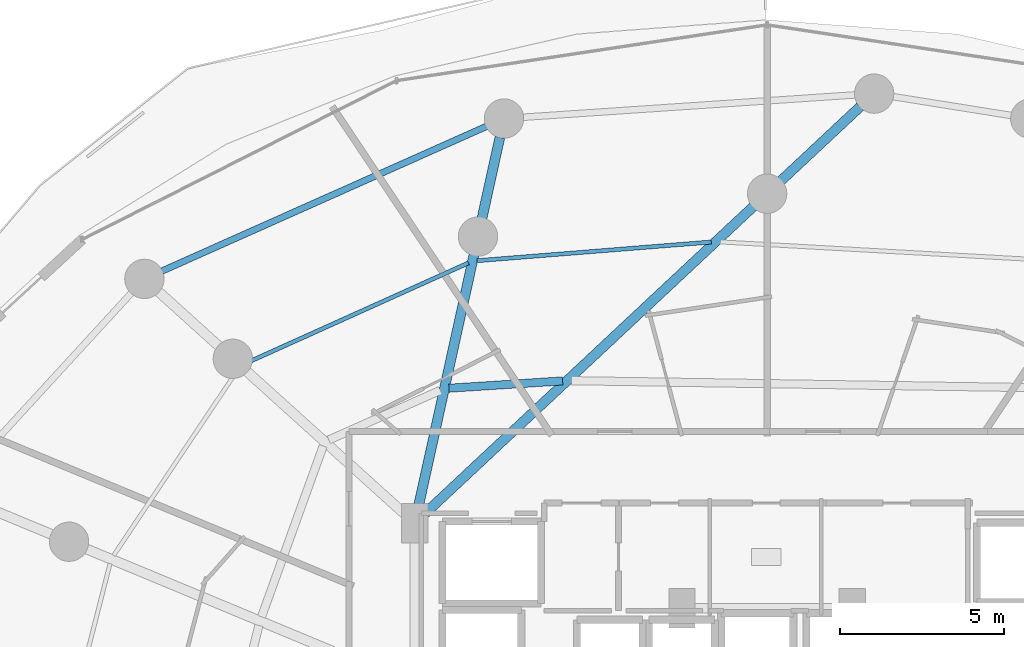
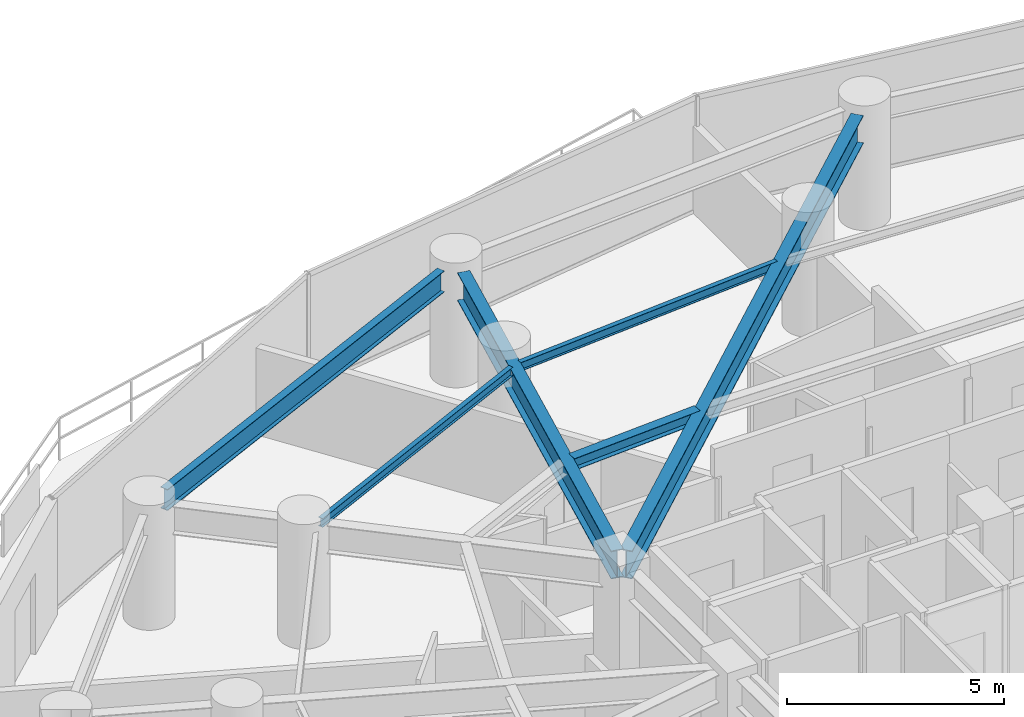
# One storey, part 21 of 35: 6 beams.
"""IFC4 building model written with IfcOpenShell, lengths in metres."""

from ifc_helpers import new_model, si_unit, direction, frame, origin, origin_2d, place, context, subcontext, project, spatial, i_section, extrude, material, material_profile, profile_set, type_object, element, save


model = new_model("IFC4")

# Units and contexts
model_context = context("Model", 3, precision=1e-05, world=origin(), true_north=direction((0.0, 1.0)))
body_context = subcontext(model_context, "Body", "Model", "MODEL_VIEW")
ifc_project = project(units=[si_unit("LENGTHUNIT", "METRE"), si_unit("AREAUNIT", "SQUARE_METRE"), si_unit("VOLUMEUNIT", "CUBIC_METRE"), si_unit("PLANEANGLEUNIT", "RADIAN"), si_unit("MASSUNIT", "GRAM", prefix="KILO")], contexts=[model_context])

# Site, building, storey
site_placement = place(None, origin())
site = spatial("IfcSite", under=ifc_project, at=site_placement, CompositionType="ELEMENT")
building_placement = place(site_placement, origin())
building = spatial("IfcBuilding", under=site, at=building_placement, Name="Vorneva Point Tower", CompositionType="ELEMENT")
storey_placement = place(building_placement, frame((0.0, 0.0, 48.5)))
storey = spatial("IfcBuildingStorey", under=building, at=storey_placement, Name="L12", CompositionType="ELEMENT", Elevation=48.5)

# Beams
ifc_material = material(Name="Steel S355", Category="steel")
ifc_material_profile_1 = material_profile(ifc_material, i_section(OverallWidth=0.300048828125, OverallDepth=0.7880859375, WebThickness=0.014404296875, FlangeThickness=0.02197265625, at=origin_2d()), Name="80Sh1")
ifc_profile_set_1 = profile_set([ifc_material_profile_1], Name="Steel S355")
beam_type_1 = type_object("IfcBeamType", Name="BM-GRD-80Sh1", PredefinedType="USERDEFINED", material=ifc_profile_set_1)
beam_1_placement = place(storey_placement, frame((40.835693359375, 45.850830078125, 2.845947265625), z_axis=(-0.730494745314, -0.682918316542, 0.0), x_axis=(0.682918316542, -0.730494745314, 0.0)))
element("IfcBeam", 1, at=beam_1_placement, inside=storey, type_object=beam_type_1, Name="L12 Radial Primary Girder 05", ObjectType="GIRDER", PredefinedType="USERDEFINED", context=body_context, shape_type="SweptSolid", body=[
    extrude(i_section(OverallWidth=0.300048828125, OverallDepth=0.7880859375, WebThickness=0.014404296875, FlangeThickness=0.02197265625, at=origin_2d()), origin(), (0.0, 0.0, 1.0), 18.258056640625),
])
beam_2_placement = place(storey_placement, frame((29.84716796875, 44.91748046875, 2.845947265625), z_axis=(-0.215521919097, -0.976499002759, 0.0), x_axis=(0.976499002759, -0.215521919097, 0.0)))
element("IfcBeam", 2, at=beam_2_placement, inside=storey, type_object=beam_type_1, Name="L12 Radial Primary Girder 06", ObjectType="GIRDER", PredefinedType="USERDEFINED", context=body_context, shape_type="SweptSolid", body=[
    extrude(i_section(OverallWidth=0.300048828125, OverallDepth=0.7880859375, WebThickness=0.014404296875, FlangeThickness=0.02197265625, at=origin_2d()), origin(), (0.0, 0.0, 1.0), 11.710693359375),
])
ifc_material_profile_2 = material_profile(ifc_material, i_section(OverallWidth=0.1240234375, OverallDepth=0.248046875, WebThickness=0.0048828125, FlangeThickness=0.008056640625, at=origin_2d()), Name="25B1")
ifc_profile_set_2 = profile_set([ifc_material_profile_2], Name="Steel S355")
beam_type_2 = type_object("IfcBeamType", Name="BM-JST-25B1", PredefinedType="JOIST", material=ifc_profile_set_2)
beam_3_placement = place(storey_placement, frame((36.296875, 41.72509765625, 3.115966796875), z_axis=(-0.996829558396, -0.079566522532, 0.0), x_axis=(0.079566522532, -0.996829558396, 0.0)))
element("IfcBeam", 3, at=beam_3_placement, inside=storey, type_object=beam_type_2, Name="L12 Secondary Floor Beam 1.05", PredefinedType="JOIST", context=body_context, shape_type="SweptSolid", body=[
    extrude(i_section(OverallWidth=0.1240234375, OverallDepth=0.248046875, WebThickness=0.0048828125, FlangeThickness=0.008056640625, at=origin_2d()), origin(), (0.0, 0.0, 1.0), 7.167724609375),
])
beam_4_placement = place(storey_placement, frame((28.888427734375, 41.0869140625, 3.115966796875), z_axis=(-0.911700003406, -0.41085654892, 0.0), x_axis=(0.41085654892, -0.911700003406, 0.0)))
element("IfcBeam", 4, at=beam_4_placement, inside=storey, type_object=beam_type_2, Name="L12 Secondary Floor Beam 1.06", PredefinedType="JOIST", context=body_context, shape_type="SweptSolid", body=[
    extrude(i_section(OverallWidth=0.1240234375, OverallDepth=0.248046875, WebThickness=0.0048828125, FlangeThickness=0.008056640625, at=origin_2d()), origin(), (0.0, 0.0, 1.0), 7.49072265625),
])
ifc_material_profile_3 = material_profile(ifc_material, i_section(OverallWidth=0.2490234375, OverallDepth=0.333984375, WebThickness=0.008056640625, FlangeThickness=0.010986328125, at=origin_2d()), Name="35Sh1")
ifc_profile_set_3 = profile_set([ifc_material_profile_3], Name="Steel S355")
beam_type_3 = type_object("IfcBeamType", Name="BM-SEC-35Sh1", PredefinedType="BEAM", material=ifc_profile_set_3)
beam_5_placement = place(storey_placement, frame((31.761962890625, 37.488037109375, 3.072998046875), z_axis=(-0.997931855815, -0.064280721441, 0.0), x_axis=(0.064280721441, -0.997931855815, 0.0)))
element("IfcBeam", 5, at=beam_5_placement, inside=storey, type_object=beam_type_3, Name="L12 Secondary Floor Beam 2.05", PredefinedType="BEAM", context=body_context, shape_type="SweptSolid", body=[
    extrude(i_section(OverallWidth=0.2490234375, OverallDepth=0.333984375, WebThickness=0.008056640625, FlangeThickness=0.010986328125, at=origin_2d()), origin(), (0.0, 0.0, 1.0), 3.47509765625),
])
ifc_material_profile_4 = material_profile(ifc_material, i_section(OverallWidth=0.198974609375, OverallDepth=0.595947265625, WebThickness=0.010009765625, FlangeThickness=0.014892578125, at=origin_2d()), Name="60B1")
ifc_profile_set_4 = profile_set([ifc_material_profile_4], Name="Steel S355")
beam_type_4 = type_object("IfcBeamType", Name="BM-SPN-60B1", PredefinedType="SPANDREL", material=ifc_profile_set_4)
beam_6_placement = place(storey_placement, frame((29.439453125, 45.25341796875, 2.94189453125), z_axis=(-0.913318750016, -0.407245455309, 0.0), x_axis=(0.407245455309, -0.913318750016, 0.0)))
element("IfcBeam", 6, at=beam_6_placement, inside=storey, type_object=beam_type_4, Name="L12 Perimeter Spandrel Ring Beam 06", PredefinedType="SPANDREL", context=body_context, shape_type="SweptSolid", body=[
    extrude(i_section(OverallWidth=0.198974609375, OverallDepth=0.595947265625, WebThickness=0.010009765625, FlangeThickness=0.014892578125, at=origin_2d()), origin(), (0.0, 0.0, 1.0), 10.842529296875),
])

save(model, "model.ifc")
